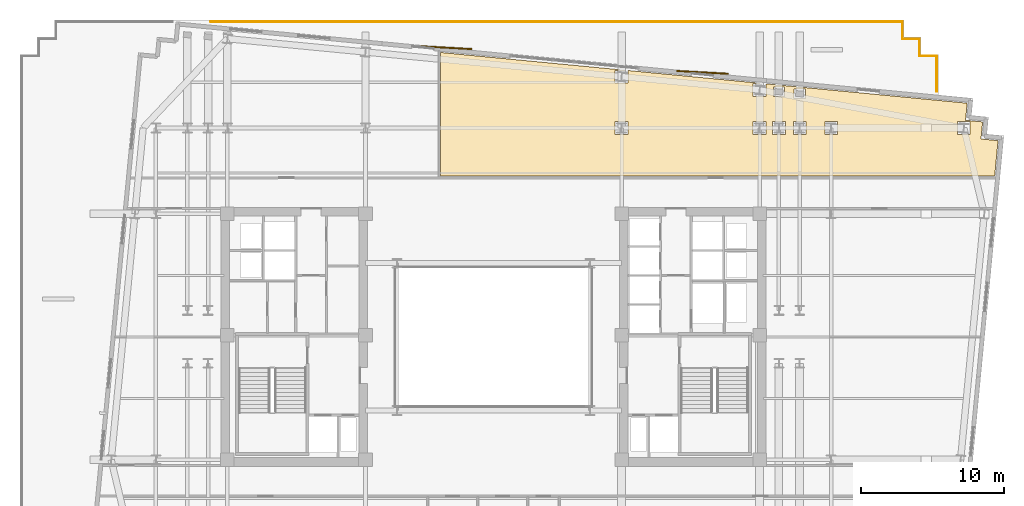
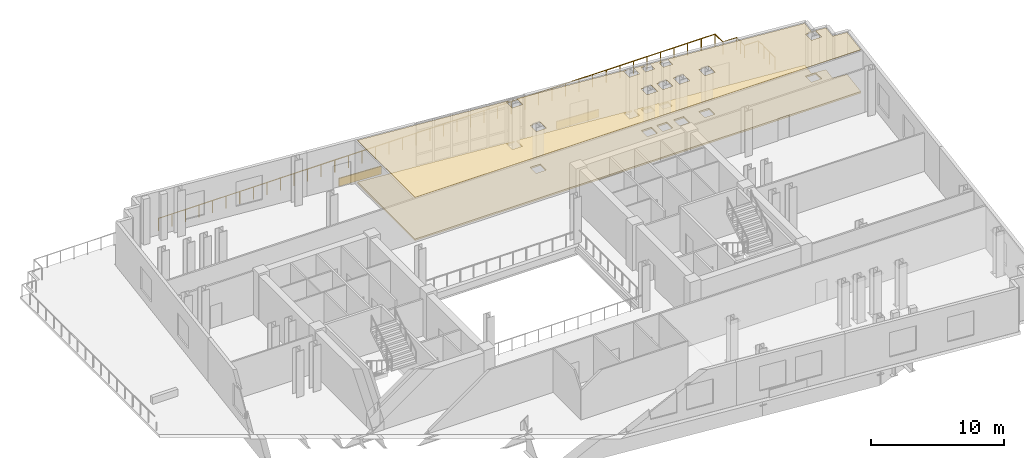
# One storey, part 11 of 11: 4 coverings, 1 railing.
"""IFC4 building model written with IfcOpenShell, lengths in metres."""

from ifc_helpers import new_model, si_unit, direction, frame, origin, origin_2d, place, context, subcontext, project, spatial, polyline, rectangle, circle, outline, extrude, material, layer, layer_set, type_object, element, save


model = new_model("IFC4")

# Units and contexts
model_context = context("Model", 3, precision=1e-05, world=origin(), true_north=direction((0.0, 1.0)))
body_context = subcontext(model_context, "Body", "Model", "MODEL_VIEW")
ifc_project = project(units=[si_unit("LENGTHUNIT", "METRE"), si_unit("AREAUNIT", "SQUARE_METRE"), si_unit("VOLUMEUNIT", "CUBIC_METRE"), si_unit("PLANEANGLEUNIT", "RADIAN"), si_unit("MASSUNIT", "GRAM", prefix="KILO")], contexts=[model_context])

# Site, building, storey
site_placement = place(None, origin())
site = spatial("IfcSite", under=ifc_project, at=site_placement, CompositionType="ELEMENT")
building_placement = place(site_placement, origin())
building = spatial("IfcBuilding", under=site, at=building_placement, Name="Velakula Bourse", CompositionType="ELEMENT")
storey_placement = place(building_placement, frame((0.0, 0.0, 156.199951171875)))
storey = spatial("IfcBuildingStorey", under=building, at=storey_placement, Name="L42", CompositionType="ELEMENT", Elevation=156.199951171875)

# Coverings
ifc_material_1 = material(Name="Buff kilned clay facing brick masonry", Category="masonry")
ifc_layer_1 = layer(ifc_material_1, 0.074951171875, Name="Buff kilned clay facing brick masonry", Category="masonry")
ifc_layer_set_1 = layer_set([ifc_layer_1], Name="Buff kilned clay facing brick masonry")
covering_type_1 = type_object("IfcCoveringType", Name="COV-BRK-SPN-75", PredefinedType="CLADDING", material=ifc_layer_set_1)
for number, where, z_axis, x_axis, name in (
    (1, (-3.304931640625, 20.213623046875, 0.0), (0.0, 0.0, 1.0), (0.998489097451, -0.054950179912, 0.0), "L42 Folded Brick Facade Cladding Panel N-B2"),
    (2, (14.6123046875, 18.48828125, 0.0), (0.0, 0.0, 1.0), (0.998489097451, -0.054950179912, 0.0), "L42 Folded Brick Facade Cladding Panel N-B4"),
):
    element("IfcCovering", number, at=place(storey_placement, frame(where, z_axis=z_axis, x_axis=x_axis)), inside=storey, type_object=covering_type_1, Name=name, PredefinedType="CLADDING", context=body_context, shape_type="SweptSolid", body=[
        extrude(rectangle(XDim=3.60009765625, YDim=0.090087890625, at=origin_2d()), origin(), (0.0, 0.0, 1.0), 0.719970703125),
    ])
ifc_material_2 = material(Name="Mineral-fibre acoustic suspended ceiling tile", Category="mineral")
ifc_layer_2 = layer(ifc_material_2, 0.0400390625, Name="Mineral-fibre acoustic suspended ceiling tile", Category="mineral")
ifc_layer_set_2 = layer_set([ifc_layer_2], Name="Mineral-fibre acoustic suspended ceiling tile")
covering_type_2 = type_object("IfcCoveringType", Name="COV-CEIL-AC-40", PredefinedType="CEILING", material=ifc_layer_set_2)
covering_1_placement = place(storey_placement, frame((0.0, 0.0, 3.949951171875)))
element("IfcCovering", 3, at=covering_1_placement, inside=storey, type_object=covering_type_2, Name="L42 Executive Boardroom Acoustic Suspended Ceiling", PredefinedType="CEILING", context=body_context, shape_type="SweptSolid", body=[
    extrude(outline(polyline([(32.99609375, 15.140869140625), (34.1904296875, 15.02587890625), (34.075439453125, 13.831298828125), (35.27001953125, 13.71630859375), (35.030517578125, 11.22998046875), (-3.701904296875, 11.22998046875), (-3.701904296875, 19.880126953125), (9.231689453125, 18.634765625), (8.5048828125, 18.634765625), (8.5048828125, 17.74462890625), (9.39501953125, 17.74462890625), (9.39501953125, 18.618896484375), (18.882080078125, 17.70556640625), (18.155029296875, 17.70556640625), (18.155029296875, 16.8154296875), (19.044921875, 16.8154296875), (19.044921875, 17.689697265625), (33.111083984375, 16.33544921875), (32.99609375, 15.140869140625)]), holes=[polyline([(8.5048828125, 15.044921875), (8.5048828125, 14.155029296875), (9.39501953125, 14.155029296875), (9.39501953125, 15.044921875), (8.5048828125, 15.044921875)]), polyline([(18.155029296875, 14.155029296875), (19.044921875, 14.155029296875), (19.044921875, 15.044921875), (18.155029296875, 15.044921875), (18.155029296875, 14.155029296875)]), polyline([(20.955078125, 14.155029296875), (21.844970703125, 14.155029296875), (21.844970703125, 15.044921875), (20.955078125, 15.044921875), (20.955078125, 14.155029296875)]), polyline([(23.155029296875, 14.155029296875), (24.044921875, 14.155029296875), (24.044921875, 15.044921875), (23.155029296875, 15.044921875), (23.155029296875, 14.155029296875)]), polyline([(19.5048828125, 14.155029296875), (20.39501953125, 14.155029296875), (20.39501953125, 15.044921875), (19.5048828125, 15.044921875), (19.5048828125, 14.155029296875)]), polyline([(32.4287109375, 14.155029296875), (33.318603515625, 14.155029296875), (33.318603515625, 15.044921875), (32.4287109375, 15.044921875), (32.4287109375, 14.155029296875)]), polyline([(21.0048828125, 17.310791015625), (21.0048828125, 16.6708984375), (21.794921875, 16.6708984375), (21.794921875, 17.310791015625), (21.0048828125, 17.310791015625)]), polyline([(19.554931640625, 17.450439453125), (19.554931640625, 16.810546875), (20.344970703125, 16.810546875), (20.344970703125, 17.450439453125), (19.554931640625, 17.450439453125)])]), origin(), (0.0, 0.0, 1.0), 0.0400390625),
])
ifc_material_3 = material(Name="Calcium-sulphate antistatic raised access flooring", Category="gypsum")
ifc_layer_3 = layer(ifc_material_3, 0.14990234375, Name="Calcium-sulphate antistatic raised access flooring", Category="gypsum")
ifc_layer_set_3 = layer_set([ifc_layer_3], Name="Calcium-sulphate antistatic raised access flooring")
covering_type_3 = type_object("IfcCoveringType", Name="COV-FLR-RAISED-150", PredefinedType="FLOORING", material=ifc_layer_set_3)
covering_2_placement = place(storey_placement, origin())
element("IfcCovering", 4, at=covering_2_placement, inside=storey, type_object=covering_type_3, Name="L42 Executive Boardroom Raised Trading Access Floor", PredefinedType="FLOORING", context=body_context, shape_type="SweptSolid", body=[
    extrude(outline(polyline([(32.99609375, 15.140869140625), (34.1904296875, 15.02587890625), (34.075439453125, 13.831298828125), (35.27001953125, 13.71630859375), (35.030517578125, 11.22998046875), (-3.701904296875, 11.22998046875), (-3.701904296875, 19.880126953125), (9.231689453125, 18.634765625), (8.5048828125, 18.634765625), (8.5048828125, 17.74462890625), (9.39501953125, 17.74462890625), (9.39501953125, 18.618896484375), (18.882080078125, 17.70556640625), (18.155029296875, 17.70556640625), (18.155029296875, 16.8154296875), (19.044921875, 16.8154296875), (19.044921875, 17.689697265625), (33.111083984375, 16.33544921875), (32.99609375, 15.140869140625)]), holes=[polyline([(8.5048828125, 15.044921875), (8.5048828125, 14.155029296875), (9.39501953125, 14.155029296875), (9.39501953125, 15.044921875), (8.5048828125, 15.044921875)]), polyline([(18.155029296875, 14.155029296875), (19.044921875, 14.155029296875), (19.044921875, 15.044921875), (18.155029296875, 15.044921875), (18.155029296875, 14.155029296875)]), polyline([(20.955078125, 14.155029296875), (21.844970703125, 14.155029296875), (21.844970703125, 15.044921875), (20.955078125, 15.044921875), (20.955078125, 14.155029296875)]), polyline([(23.155029296875, 14.155029296875), (24.044921875, 14.155029296875), (24.044921875, 15.044921875), (23.155029296875, 15.044921875), (23.155029296875, 14.155029296875)]), polyline([(19.5048828125, 14.155029296875), (20.39501953125, 14.155029296875), (20.39501953125, 15.044921875), (19.5048828125, 15.044921875), (19.5048828125, 14.155029296875)]), polyline([(32.4287109375, 14.155029296875), (33.318603515625, 14.155029296875), (33.318603515625, 15.044921875), (32.4287109375, 15.044921875), (32.4287109375, 14.155029296875)]), polyline([(21.0048828125, 17.310791015625), (21.0048828125, 16.6708984375), (21.794921875, 16.6708984375), (21.794921875, 17.310791015625), (21.0048828125, 17.310791015625)]), polyline([(19.554931640625, 17.450439453125), (19.554931640625, 16.810546875), (20.344970703125, 16.810546875), (20.344970703125, 17.450439453125), (19.554931640625, 17.450439453125)])]), origin(), (0.0, 0.0, 1.0), 0.150146484375),
])

# Railing
ifc_material_4 = material(Name="Anodised bronze architectural aluminium", Category="aluminium")
railing_type = type_object("IfcRailingType", Name="RLG-TERR-1150", PredefinedType="BALUSTRADE", material=ifc_material_4)
railing_placement = place(storey_placement, frame((-19.76953125, 22.030029296875, 0.0)))
element("IfcRailing", 5, at=railing_placement, inside=storey, type_object=railing_type, Name="L42 Sky-Garden Perimeter Balustrade 3", PredefinedType="BALUSTRADE", context=body_context, shape_type="SweptSolid", body=[
    extrude(circle(Radius=0.02392578125, at=origin_2d()), frame((0.0, 0.0, 1.1259765625), z_axis=(1.0, 0.0, 0.0), x_axis=(0.0, 1.0, 0.0)), (0.0, 0.0, 1.0), 48.349609375),
    extrude(circle(Radius=0.02392578125, at=origin_2d()), frame((48.349609375, 0.0, 1.1259765625), z_axis=(0.0, -1.0, 0.0), x_axis=(1.0, 0.0, 0.0)), (0.0, 0.0, 1.0), 1.199951171875),
    extrude(circle(Radius=0.02392578125, at=origin_2d()), frame((48.349609375, -1.199951171875, 1.1259765625), z_axis=(1.0, 0.0, 0.0), x_axis=(0.0, 1.0, 0.0)), (0.0, 0.0, 1.0), 1.199951171875),
    extrude(circle(Radius=0.02392578125, at=origin_2d()), frame((49.549560546875, -1.199951171875, 1.1259765625), z_axis=(0.0, -1.0, 0.0), x_axis=(1.0, 0.0, 0.0)), (0.0, 0.0, 1.0), 1.2001953125),
    extrude(circle(Radius=0.02392578125, at=origin_2d()), frame((49.549560546875, -2.400146484375, 1.1259765625), z_axis=(1.0, 0.0, 0.0), x_axis=(0.0, 1.0, 0.0)), (0.0, 0.0, 1.0), 1.199951171875),
    extrude(circle(Radius=0.02392578125, at=origin_2d()), frame((50.74951171875, -2.400146484375, 1.1259765625), z_axis=(0.0, -1.0, 0.0), x_axis=(1.0, 0.0, 0.0)), (0.0, 0.0, 1.0), 2.486572265625),
    extrude(circle(Radius=0.02099609375, at=origin_2d()), origin(), (0.0, 0.0, 1.0), 1.101806640625),
    extrude(circle(Radius=0.02099609375, at=origin_2d()), frame((1.17919921875, 0.0, 0.0)), (0.0, 0.0, 1.0), 1.101806640625),
    extrude(circle(Radius=0.02099609375, at=origin_2d()), frame((2.3583984375, 0.0, 0.0)), (0.0, 0.0, 1.0), 1.101806640625),
    extrude(circle(Radius=0.02099609375, at=origin_2d()), frame((3.537841796875, 0.0, 0.0)), (0.0, 0.0, 1.0), 1.101806640625),
    extrude(circle(Radius=0.02099609375, at=origin_2d()), frame((4.717041015625, 0.0, 0.0)), (0.0, 0.0, 1.0), 1.101806640625),
    extrude(circle(Radius=0.02099609375, at=origin_2d()), frame((5.896240234375, 0.0, 0.0)), (0.0, 0.0, 1.0), 1.101806640625),
    extrude(circle(Radius=0.02099609375, at=origin_2d()), frame((7.075439453125, 0.0, 0.0)), (0.0, 0.0, 1.0), 1.101806640625),
    extrude(circle(Radius=0.02099609375, at=origin_2d()), frame((8.2548828125, 0.0, 0.0)), (0.0, 0.0, 1.0), 1.101806640625),
    extrude(circle(Radius=0.02099609375, at=origin_2d()), frame((9.43408203125, 0.0, 0.0)), (0.0, 0.0, 1.0), 1.101806640625),
    extrude(circle(Radius=0.02099609375, at=origin_2d()), frame((10.61328125, 0.0, 0.0)), (0.0, 0.0, 1.0), 1.101806640625),
    extrude(circle(Radius=0.02099609375, at=origin_2d()), frame((11.79248046875, 0.0, 0.0)), (0.0, 0.0, 1.0), 1.101806640625),
    extrude(circle(Radius=0.02099609375, at=origin_2d()), frame((12.971923828125, 0.0, 0.0)), (0.0, 0.0, 1.0), 1.101806640625),
    extrude(circle(Radius=0.02099609375, at=origin_2d()), frame((14.151123046875, 0.0, 0.0)), (0.0, 0.0, 1.0), 1.101806640625),
    extrude(circle(Radius=0.02099609375, at=origin_2d()), frame((15.330322265625, 0.0, 0.0)), (0.0, 0.0, 1.0), 1.101806640625),
    extrude(circle(Radius=0.02099609375, at=origin_2d()), frame((16.509521484375, 0.0, 0.0)), (0.0, 0.0, 1.0), 1.101806640625),
    extrude(circle(Radius=0.02099609375, at=origin_2d()), frame((17.68896484375, 0.0, 0.0)), (0.0, 0.0, 1.0), 1.101806640625),
    extrude(circle(Radius=0.02099609375, at=origin_2d()), frame((18.8681640625, 0.0, 0.0)), (0.0, 0.0, 1.0), 1.101806640625),
    extrude(circle(Radius=0.02099609375, at=origin_2d()), frame((20.04736328125, 0.0, 0.0)), (0.0, 0.0, 1.0), 1.101806640625),
    extrude(circle(Radius=0.02099609375, at=origin_2d()), frame((21.2265625, 0.0, 0.0)), (0.0, 0.0, 1.0), 1.101806640625),
    extrude(circle(Radius=0.02099609375, at=origin_2d()), frame((22.406005859375, 0.0, 0.0)), (0.0, 0.0, 1.0), 1.101806640625),
    extrude(circle(Radius=0.02099609375, at=origin_2d()), frame((23.585205078125, 0.0, 0.0)), (0.0, 0.0, 1.0), 1.101806640625),
    extrude(circle(Radius=0.02099609375, at=origin_2d()), frame((24.764404296875, 0.0, 0.0)), (0.0, 0.0, 1.0), 1.101806640625),
    extrude(circle(Radius=0.02099609375, at=origin_2d()), frame((25.943603515625, 0.0, 0.0)), (0.0, 0.0, 1.0), 1.101806640625),
    extrude(circle(Radius=0.02099609375, at=origin_2d()), frame((27.123046875, 0.0, 0.0)), (0.0, 0.0, 1.0), 1.101806640625),
    extrude(circle(Radius=0.02099609375, at=origin_2d()), frame((28.30224609375, 0.0, 0.0)), (0.0, 0.0, 1.0), 1.101806640625),
    extrude(circle(Radius=0.02099609375, at=origin_2d()), frame((29.4814453125, 0.0, 0.0)), (0.0, 0.0, 1.0), 1.101806640625),
    extrude(circle(Radius=0.02099609375, at=origin_2d()), frame((30.66064453125, 0.0, 0.0)), (0.0, 0.0, 1.0), 1.101806640625),
    extrude(circle(Radius=0.02099609375, at=origin_2d()), frame((31.840087890625, 0.0, 0.0)), (0.0, 0.0, 1.0), 1.101806640625),
    extrude(circle(Radius=0.02099609375, at=origin_2d()), frame((33.019287109375, 0.0, 0.0)), (0.0, 0.0, 1.0), 1.101806640625),
    extrude(circle(Radius=0.02099609375, at=origin_2d()), frame((34.198486328125, 0.0, 0.0)), (0.0, 0.0, 1.0), 1.101806640625),
    extrude(circle(Radius=0.02099609375, at=origin_2d()), frame((35.377685546875, 0.0, 0.0)), (0.0, 0.0, 1.0), 1.101806640625),
    extrude(circle(Radius=0.02099609375, at=origin_2d()), frame((36.55712890625, 0.0, 0.0)), (0.0, 0.0, 1.0), 1.101806640625),
    extrude(circle(Radius=0.02099609375, at=origin_2d()), frame((37.736328125, 0.0, 0.0)), (0.0, 0.0, 1.0), 1.101806640625),
    extrude(circle(Radius=0.02099609375, at=origin_2d()), frame((38.91552734375, 0.0, 0.0)), (0.0, 0.0, 1.0), 1.101806640625),
    extrude(circle(Radius=0.02099609375, at=origin_2d()), frame((40.0947265625, 0.0, 0.0)), (0.0, 0.0, 1.0), 1.101806640625),
    extrude(circle(Radius=0.02099609375, at=origin_2d()), frame((41.274169921875, 0.0, 0.0)), (0.0, 0.0, 1.0), 1.101806640625),
    extrude(circle(Radius=0.02099609375, at=origin_2d()), frame((42.453369140625, 0.0, 0.0)), (0.0, 0.0, 1.0), 1.101806640625),
    extrude(circle(Radius=0.02099609375, at=origin_2d()), frame((43.632568359375, 0.0, 0.0)), (0.0, 0.0, 1.0), 1.101806640625),
    extrude(circle(Radius=0.02099609375, at=origin_2d()), frame((44.811767578125, 0.0, 0.0)), (0.0, 0.0, 1.0), 1.101806640625),
    extrude(circle(Radius=0.02099609375, at=origin_2d()), frame((45.9912109375, 0.0, 0.0)), (0.0, 0.0, 1.0), 1.101806640625),
    extrude(circle(Radius=0.02099609375, at=origin_2d()), frame((47.17041015625, 0.0, 0.0)), (0.0, 0.0, 1.0), 1.101806640625),
    extrude(circle(Radius=0.02099609375, at=origin_2d()), frame((48.349609375, 0.0, 0.0)), (0.0, 0.0, 1.0), 1.101806640625),
    extrude(circle(Radius=0.02099609375, at=origin_2d()), frame((48.349609375, -1.199951171875, 0.0)), (0.0, 0.0, 1.0), 1.101806640625),
    extrude(circle(Radius=0.02099609375, at=origin_2d()), frame((49.549560546875, -1.199951171875, 0.0)), (0.0, 0.0, 1.0), 1.101806640625),
    extrude(circle(Radius=0.02099609375, at=origin_2d()), frame((49.549560546875, -1.800048828125, 0.0)), (0.0, 0.0, 1.0), 1.101806640625),
    extrude(circle(Radius=0.02099609375, at=origin_2d()), frame((49.549560546875, -2.400146484375, 0.0)), (0.0, 0.0, 1.0), 1.101806640625),
    extrude(circle(Radius=0.02099609375, at=origin_2d()), frame((50.74951171875, -2.400146484375, 0.0)), (0.0, 0.0, 1.0), 1.101806640625),
    extrude(circle(Radius=0.02099609375, at=origin_2d()), frame((50.74951171875, -3.22900390625, 0.0)), (0.0, 0.0, 1.0), 1.101806640625),
    extrude(circle(Radius=0.02099609375, at=origin_2d()), frame((50.74951171875, -4.057861328125, 0.0)), (0.0, 0.0, 1.0), 1.101806640625),
    extrude(circle(Radius=0.02099609375, at=origin_2d()), frame((50.74951171875, -4.88671875, 0.0)), (0.0, 0.0, 1.0), 1.101806640625),
])

save(model, "model.ifc")
